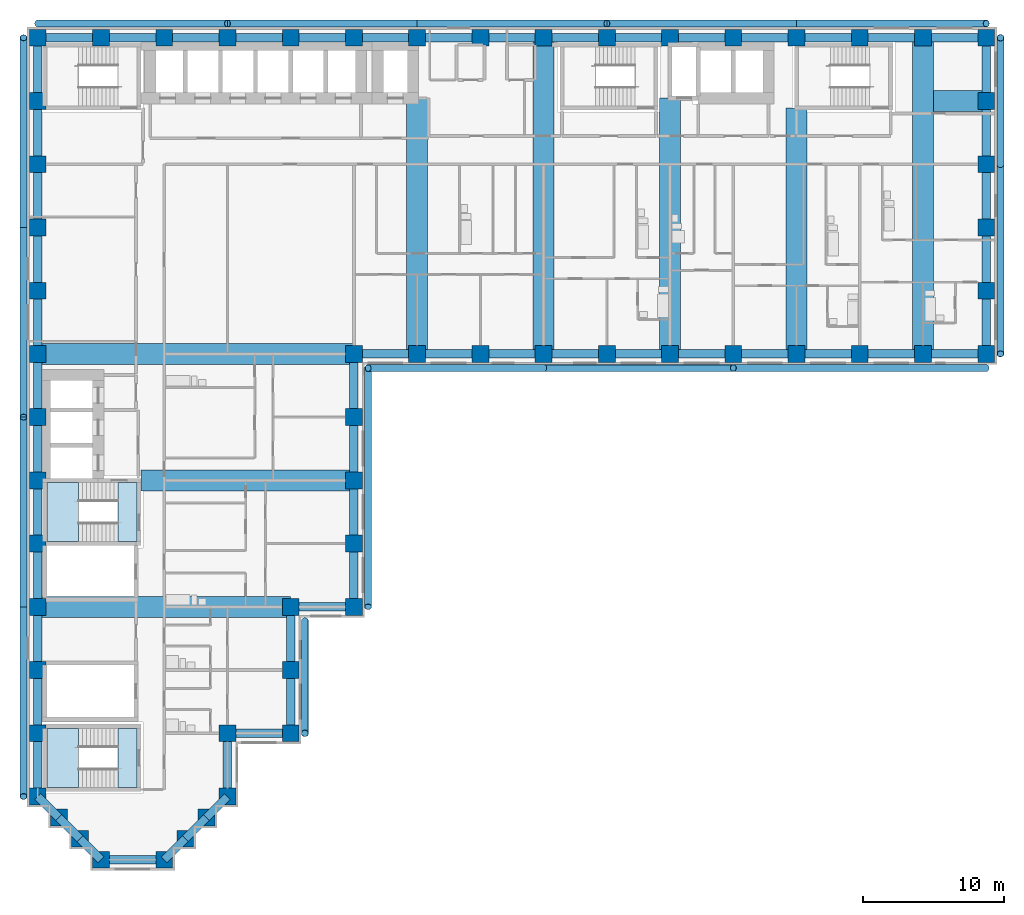
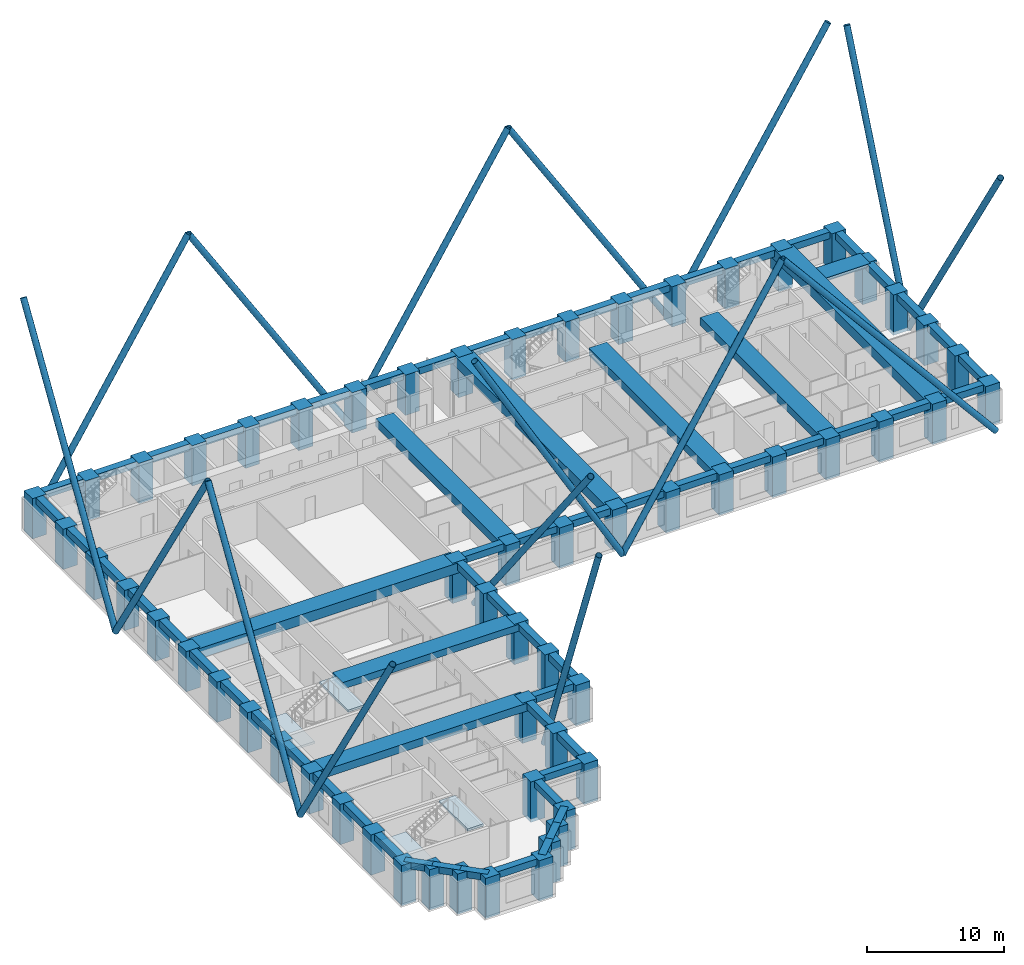
# One storey, part 1 of 13: 67 beams, 58 columns, 16 members, 4 slabs, 2 elements without a shape of their own.
"""IFC4 building model written with IfcOpenShell, lengths in metres."""

import ifcopenshell
import ifcopenshell.guid

model = None  # the IFC model being written
_history = None  # IfcOwnerHistory: only IFC2X3 demands one
_inside = {}  # id of a spatial element -> (the spatial element, [elements in it])
_under = {}  # id of a project, library or spatial element -> (it, [spatial elements below it])
_declared = {}  # id of a project -> (the project, [libraries it declares])
_typed = {}  # id of a type object -> (the type object, [elements of that type])
_made_of = {}  # id of a material, layer set ... -> (it, [elements and type objects made of it])


def new_model(schema):
    """Start an empty IFC model of exactly this schema.

    Asked for "IFC4X3", IfcOpenShell would pick the latest addendum, in which some entities
    have other attributes; the version numbers below select the first issue.
    IFC2X3 requires an IfcOwnerHistory on every rooted entity: one is made here for all.
    """
    global model, _history
    if schema == "IFC4X3":
        model = ifcopenshell.file(schema_version=(4, 3, 0, 0))
    else:
        model = ifcopenshell.file(schema=schema)
    _inside.clear()
    _under.clear()
    _declared.clear()
    _typed.clear()
    _made_of.clear()
    _history = None
    if model.schema == "IFC2X3":
        org = make("IfcOrganization", Name="unknown")
        user = make(
            "IfcPersonAndOrganization",
            ThePerson=make("IfcPerson", FamilyName="unknown"),
            TheOrganization=org,
        )
        app = make(
            "IfcApplication",
            ApplicationDeveloper=org,
            Version="unknown",
            ApplicationFullName="unknown",
            ApplicationIdentifier="unknown",
        )
        _history = make(
            "IfcOwnerHistory",
            OwningUser=user,
            OwningApplication=app,
            ChangeAction="ADDED",
            CreationDate=0,
        )
    return model


def make(cls, **values):
    """One entity of the class cls with the attributes given. An attribute that is None is left unset."""
    return model.create_entity(
        cls, **{name: value for name, value in values.items() if value is not None}
    )


def rooted(cls, **values):
    """An entity with a GlobalId (a new one), such as an element, a storey or a relation."""
    return make(cls, GlobalId=ifcopenshell.guid.new(), OwnerHistory=_history, **values)


def si_unit(unit_type, name, prefix=None):
    """IfcSIUnit, for example si_unit("LENGTHUNIT", "METRE", prefix="MILLI")."""
    return make("IfcSIUnit", UnitType=unit_type, Prefix=prefix, Name=name)


def assignment(units):
    """IfcUnitAssignment: the units of a project."""
    return None if units is None else make("IfcUnitAssignment", Units=units)


def point(xyz):
    """IfcCartesianPoint."""
    return None if xyz is None else make("IfcCartesianPoint", Coordinates=xyz)


def direction(xyz):
    """IfcDirection."""
    return None if xyz is None else make("IfcDirection", DirectionRatios=xyz)


def frame(location, z_axis=None, x_axis=None):
    """IfcAxis2Placement3D, a coordinate frame: its origin and axes. An axis left out is left unset."""
    return make(
        "IfcAxis2Placement3D",
        Location=point(location),
        Axis=direction(z_axis),
        RefDirection=direction(x_axis),
    )


def frame_2d(location, x_axis=None):
    """IfcAxis2Placement2D, a coordinate frame in the plane: its origin and x axis."""
    return make(
        "IfcAxis2Placement2D", Location=point(location), RefDirection=direction(x_axis)
    )


def origin():
    """The frame at (0, 0, 0) with its axes left unset."""
    return frame((0.0, 0.0, 0.0))


def origin_2d():
    """The frame at (0, 0) in the plane with its x axis left unset."""
    return frame_2d((0.0, 0.0))


def place(relative_to, where):
    """IfcLocalPlacement: puts the frame where relative to a parent placement (None: the world)."""
    return make(
        "IfcLocalPlacement", PlacementRelTo=relative_to, RelativePlacement=where
    )


def context(
    kind, dimensions, precision=None, world=None, true_north=None, identifier=None
):
    """IfcGeometricRepresentationContext, for example the 3D "Model" context."""
    return make(
        "IfcGeometricRepresentationContext",
        ContextIdentifier=identifier,
        ContextType=kind,
        CoordinateSpaceDimension=dimensions,
        Precision=precision,
        WorldCoordinateSystem=world,
        TrueNorth=true_north,
    )


def subcontext(parent, identifier, kind, view, scale=None):
    """IfcGeometricRepresentationSubContext, for example "Body" below "Model"."""
    return make(
        "IfcGeometricRepresentationSubContext",
        ContextIdentifier=identifier,
        ContextType=kind,
        ParentContext=parent,
        TargetScale=scale,
        TargetView=view,
    )


def project(units=None, contexts=None):
    """IfcProject with its units and contexts."""
    return rooted(
        "IfcProject",
        Name="project",
        RepresentationContexts=contexts,
        UnitsInContext=assignment(units),
    )


def spatial(cls, under=None, at=None, **own):
    """A site, building, storey or space (cls), placed at a placement, below another one or the project."""
    s = rooted(cls, ObjectPlacement=at, **own)
    if under is not None:
        _under.setdefault(under.id(), (under, []))[1].append(s)
    return s


def polyline(points):
    """IfcPolyline through the points."""
    return make("IfcPolyline", Points=[point(p) for p in points])


def profile(cls, at=None, kind="AREA", **sizes):
    """A parametric profile (cls). Its sizes go by their IFC names, for example OverallWidth=200.0."""
    return make(cls, ProfileType=kind, Position=at, **sizes)


def rectangle(**sizes):
    """IfcRectangleProfileDef."""
    return profile("IfcRectangleProfileDef", **sizes)


def hollow_circle(**sizes):
    """IfcCircleHollowProfileDef."""
    return profile("IfcCircleHollowProfileDef", **sizes)


def outline(outer, holes=None, kind="AREA"):
    """IfcArbitraryClosedProfileDef: a profile drawn as a closed curve; with holes, ...WithVoids."""
    if holes is None:
        return make("IfcArbitraryClosedProfileDef", ProfileType=kind, OuterCurve=outer)
    return make(
        "IfcArbitraryProfileDefWithVoids",
        ProfileType=kind,
        OuterCurve=outer,
        InnerCurves=holes,
    )


def extrude(swept, where, along, depth):
    """IfcExtrudedAreaSolid: the profile swept, set in the frame where, extruded along a direction by depth."""
    return make(
        "IfcExtrudedAreaSolid",
        SweptArea=swept,
        Position=where,
        ExtrudedDirection=direction(along),
        Depth=depth,
    )


def shape(context_of_items, identifier, shape_type, items):
    """IfcShapeRepresentation: the items that make up one representation, for example the "Body"."""
    return make(
        "IfcShapeRepresentation",
        ContextOfItems=context_of_items,
        RepresentationIdentifier=identifier,
        RepresentationType=shape_type,
        Items=items,
    )


def material(Name=None, Category=None):
    """IfcMaterial."""
    return make("IfcMaterial", Name=Name, Category=Category)


def layer(
    of_material, thickness, ventilated=None, Name=None, Category=None, Priority=None
):
    """IfcMaterialLayer: one layer of a wall or slab, of a material (None: an air gap)."""
    return make(
        "IfcMaterialLayer",
        Material=of_material,
        LayerThickness=thickness,
        IsVentilated=ventilated,
        Name=Name,
        Category=Category,
        Priority=Priority,
    )


def layer_set(layers, Name=None):
    """IfcMaterialLayerSet."""
    return make("IfcMaterialLayerSet", MaterialLayers=layers, LayerSetName=Name)


def material_profile(
    of_material, cross_section, Name=None, Category=None, Priority=None
):
    """IfcMaterialProfile: a cross section and its material."""
    return make(
        "IfcMaterialProfile",
        Name=Name,
        Material=of_material,
        Profile=cross_section,
        Priority=Priority,
        Category=Category,
    )


def profile_set(profiles, Name=None, composite=None):
    """IfcMaterialProfileSet."""
    return make(
        "IfcMaterialProfileSet",
        Name=Name,
        MaterialProfiles=profiles,
        CompositeProfile=composite,
    )


def made_of(thing, what):
    """Note that an element or type object is made of a material, layer set ...; save() writes the relation."""
    if what is not None:
        _made_of.setdefault(what.id(), (what, []))[1].append(thing)
    return thing


def type_object(cls, material=None, **own):
    """A type object (cls), such as IfcWallType, which elements share."""
    return made_of(rooted(cls, **own), material)


def element(
    cls,
    number,
    at=None,
    inside=None,
    cuts=None,
    type_object=None,
    material=None,
    context=None,
    identifier="Body",
    shape_type=None,
    held_by="IfcProductDefinitionShape",
    body=None,
    shapes=None,
    **own,
):
    """One element of the class cls, such as IfcWall. Its Tag is "e" and its number.

    at: its placement. inside: the storey or other place that contains it. cuts: it is an
    opening in that element (IfcRelVoidsElement). A single representation is given by context,
    identifier, shape_type and body (its items); several are given by shapes. held_by: the class
    of the entity that holds the representations. save() writes the other relations.
    """
    e = rooted(cls, Tag="e%d" % number, ObjectPlacement=at, **own)
    if body is not None:
        shapes = [shape(context, identifier, shape_type, body)]
    if shapes is not None:
        e.Representation = make(held_by, Representations=shapes)
    if inside is not None:
        _inside.setdefault(inside.id(), (inside, []))[1].append(e)
    if cuts is not None:
        rooted(
            "IfcRelVoidsElement", RelatingBuildingElement=cuts, RelatedOpeningElement=e
        )
    if type_object is not None:
        _typed.setdefault(type_object.id(), (type_object, []))[1].append(e)
    return made_of(e, material)


def aggregate(whole, parts):
    """IfcRelAggregates: a whole, such as a stair, and the parts it consists of."""
    return rooted("IfcRelAggregates", RelatingObject=whole, RelatedObjects=parts)


def save(model, path):
    """Write the relations noted so far, then the file.

    IfcRelAggregates (storeys below a building ...), IfcRelContainedInSpatialStructure (elements
    in a storey), IfcRelDefinesByType, IfcRelAssociatesMaterial and IfcRelDeclares: one each for
    every whole, place, type object, material and project.
    """
    for whole, parts in _under.values():
        aggregate(whole, parts)
    for where, things in _inside.values():
        rooted(
            "IfcRelContainedInSpatialStructure",
            RelatedElements=things,
            RelatingStructure=where,
        )
    for kind, things in _typed.values():
        rooted("IfcRelDefinesByType", RelatedObjects=things, RelatingType=kind)
    for what, things in _made_of.values():
        rooted("IfcRelAssociatesMaterial", RelatedObjects=things, RelatingMaterial=what)
    for by, libraries in _declared.values():
        rooted("IfcRelDeclares", RelatingContext=by, RelatedDefinitions=libraries)
    model.write(path)


model = new_model("IFC4")

# Units and contexts
model_context = context("Model", 3, precision=1e-05, world=origin(), true_north=direction((0.0, 1.0)))
body_context = subcontext(model_context, "Body", "Model", "MODEL_VIEW")
ifc_project = project(units=[si_unit("LENGTHUNIT", "METRE"), si_unit("AREAUNIT", "SQUARE_METRE"), si_unit("VOLUMEUNIT", "CUBIC_METRE"), si_unit("PLANEANGLEUNIT", "RADIAN"), si_unit("MASSUNIT", "GRAM", prefix="KILO")], contexts=[model_context])

# Site, building, storey
site_placement = place(None, origin())
site = spatial("IfcSite", under=ifc_project, at=site_placement, CompositionType="ELEMENT")
building_placement = place(site_placement, origin())
building = spatial("IfcBuilding", under=site, at=building_placement, Name="Firuza Court", CompositionType="ELEMENT")
storey_placement = place(building_placement, frame((0.0, 0.0, 72.199951171875)))
storey = spatial("IfcBuildingStorey", under=building, at=storey_placement, Name="L17", CompositionType="ELEMENT", Elevation=72.199951171875)

# Columns
ifc_material_1 = material(Name="Concrete C70/85", Category="concrete")
ifc_material_profile_1 = material_profile(ifc_material_1, rectangle(XDim=1.199951171875, YDim=1.199951171875, at=origin_2d()), Name="RC 1200x1200")
ifc_profile_set_1 = profile_set([ifc_material_profile_1], Name="Concrete C70/85")
column_type = type_object("IfcColumnType", Name="Tube column RC 1200x1200 C70/85", PredefinedType="COLUMN", material=ifc_profile_set_1)
for number, where, z_axis, x_axis, name in (
    (1, (4.5, 0.0, -0.300048828125), (0.0, 0.0, 1.0), (1.0, 0.0, 0.0), "Column C-2D L17"),
    (2, (9.0, 0.0, -0.300048828125), (0.0, 0.0, 1.0), (1.0, 0.0, 0.0), "Column C-3D L17"),
    (3, (3.0, 1.5, -0.300048828125), (0.0, 0.0, 1.0), (1.0, 0.0, 0.0), "Column C-SA1 L17"),
    (4, (10.5, 1.5, -0.300048828125), (0.0, 0.0, 1.0), (1.0, 0.0, 0.0), "Column C-SA2 L17"),
    (5, (1.5, 3.0, -0.300048828125), (0.0, 0.0, 1.0), (1.0, 0.0, 0.0), "Column C-SA3 L17"),
    (6, (12.0, 3.0, -0.300048828125), (0.0, 0.0, 1.0), (1.0, 0.0, 0.0), "Column C-SA4 L17"),
    (7, (0.0, 4.5, -0.300048828125), (0.0, 0.0, 1.0), (1.0, 0.0, 0.0), "Column C-1E L17"),
    (8, (13.5, 4.5, -0.300048828125), (0.0, 0.0, 1.0), (1.0, 0.0, 0.0), "Column C-4E L17"),
    (9, (0.0, 9.0, -0.300048828125), (0.0, 0.0, 1.0), (1.0, 0.0, 0.0), "Column C-1F L17"),
    (10, (13.5, 9.0, -0.300048828125), (0.0, 0.0, 1.0), (1.0, 0.0, 0.0), "Column C-4F L17"),
    (11, (18.0, 9.0, -0.300048828125), (0.0, 0.0, 1.0), (1.0, 0.0, 0.0), "Column C-5F L17"),
    (12, (0.0, 13.5, -0.300048828125), (0.0, 0.0, 1.0), (1.0, 0.0, 0.0), "Column C-1G L17"),
    (13, (18.0, 13.5, -0.300048828125), (0.0, 0.0, 1.0), (1.0, 0.0, 0.0), "Column C-5G L17"),
    (14, (0.0, 18.0, -0.300048828125), (0.0, 0.0, 1.0), (1.0, 0.0, 0.0), "Column C-1H L17"),
    (15, (18.0, 18.0, -0.300048828125), (0.0, 0.0, 1.0), (1.0, 0.0, 0.0), "Column C-5H L17"),
    (16, (22.5, 18.0, -0.300048828125), (0.0, 0.0, 1.0), (1.0, 0.0, 0.0), "Column C-6H L17"),
    (17, (0.0, 22.5, -0.300048828125), (0.0, 0.0, 1.0), (1.0, 0.0, 0.0), "Column C-1J L17"),
    (18, (22.5, 22.5, -0.300048828125), (0.0, 0.0, 1.0), (1.0, 0.0, 0.0), "Column C-6J L17"),
    (19, (0.0, 27.0, -0.300048828125), (0.0, 0.0, 1.0), (1.0, 0.0, 0.0), "Column C-1K L17"),
    (20, (22.5, 27.0, -0.300048828125), (0.0, 0.0, 1.0), (1.0, 0.0, 0.0), "Column C-6K L17"),
    (21, (0.0, 31.5, -0.300048828125), (0.0, 0.0, 1.0), (1.0, 0.0, 0.0), "Column C-1L L17"),
    (22, (22.5, 31.5, -0.300048828125), (0.0, 0.0, 1.0), (1.0, 0.0, 0.0), "Column C-6L L17"),
    (23, (0.0, 36.0, -0.300048828125), (0.0, 0.0, 1.0), (1.0, 0.0, 0.0), "Column C-1M L17"),
    (24, (22.5, 36.0, -0.300048828125), (0.0, 0.0, 1.0), (1.0, 0.0, 0.0), "Column C-6M L17"),
    (25, (27.0, 36.0, -0.300048828125), (0.0, 0.0, 1.0), (1.0, 0.0, 0.0), "Column C-7M L17"),
    (26, (31.5, 36.0, -0.300048828125), (0.0, 0.0, 1.0), (1.0, 0.0, 0.0), "Column C-8M L17"),
    (27, (36.0, 36.0, -0.300048828125), (0.0, 0.0, 1.0), (1.0, 0.0, 0.0), "Column C-9M L17"),
    (28, (40.5, 36.0, -0.300048828125), (0.0, 0.0, 1.0), (1.0, 0.0, 0.0), "Column C-10M L17"),
    (29, (45.0, 36.0, -0.300048828125), (0.0, 0.0, 1.0), (1.0, 0.0, 0.0), "Column C-11M L17"),
    (30, (49.5, 36.0, -0.300048828125), (0.0, 0.0, 1.0), (1.0, 0.0, 0.0), "Column C-12M L17"),
    (31, (54.0, 36.0, -0.300048828125), (0.0, 0.0, 1.0), (1.0, 0.0, 0.0), "Column C-13M L17"),
    (32, (58.5, 36.0, -0.300048828125), (0.0, 0.0, 1.0), (1.0, 0.0, 0.0), "Column C-14M L17"),
    (33, (63.0, 36.0, -0.300048828125), (0.0, 0.0, 1.0), (1.0, 0.0, 0.0), "Column C-15M L17"),
    (34, (67.5, 36.0, -0.300048828125), (0.0, 0.0, 1.0), (1.0, 0.0, 0.0), "Column C-16M L17"),
    (35, (0.0, 40.5, -0.300048828125), (0.0, 0.0, 1.0), (1.0, 0.0, 0.0), "Column C-1N L17"),
    (36, (67.5, 40.5, -0.300048828125), (0.0, 0.0, 1.0), (1.0, 0.0, 0.0), "Column C-16N L17"),
    (37, (0.0, 45.0, -0.300048828125), (0.0, 0.0, 1.0), (1.0, 0.0, 0.0), "Column C-1P L17"),
    (38, (67.5, 45.0, -0.300048828125), (0.0, 0.0, 1.0), (1.0, 0.0, 0.0), "Column C-16P L17"),
    (39, (0.0, 49.5, -0.300048828125), (0.0, 0.0, 1.0), (1.0, 0.0, 0.0), "Column C-1Q L17"),
    (40, (67.5, 49.5, -0.300048828125), (0.0, 0.0, 1.0), (1.0, 0.0, 0.0), "Column C-16Q L17"),
    (41, (0.0, 54.0, -0.300048828125), (0.0, 0.0, 1.0), (1.0, 0.0, 0.0), "Column C-1R L17"),
    (42, (67.5, 54.0, -0.300048828125), (0.0, 0.0, 1.0), (1.0, 0.0, 0.0), "Column C-16R L17"),
    (43, (0.0, 58.5, -0.300048828125), (0.0, 0.0, 1.0), (1.0, 0.0, 0.0), "Column C-1S L17"),
    (44, (4.5, 58.5, -0.300048828125), (0.0, 0.0, 1.0), (1.0, 0.0, 0.0), "Column C-2S L17"),
    (45, (9.0, 58.5, -0.300048828125), (0.0, 0.0, 1.0), (1.0, 0.0, 0.0), "Column C-3S L17"),
    (46, (13.5, 58.5, -0.300048828125), (0.0, 0.0, 1.0), (1.0, 0.0, 0.0), "Column C-4S L17"),
    (47, (18.0, 58.5, -0.300048828125), (0.0, 0.0, 1.0), (1.0, 0.0, 0.0), "Column C-5S L17"),
    (48, (22.5, 58.5, -0.300048828125), (0.0, 0.0, 1.0), (1.0, 0.0, 0.0), "Column C-6S L17"),
    (49, (27.0, 58.5, -0.300048828125), (0.0, 0.0, 1.0), (1.0, 0.0, 0.0), "Column C-7S L17"),
    (50, (31.5, 58.5, -0.300048828125), (0.0, 0.0, 1.0), (1.0, 0.0, 0.0), "Column C-8S L17"),
    (51, (36.0, 58.5, -0.300048828125), (0.0, 0.0, 1.0), (1.0, 0.0, 0.0), "Column C-9S L17"),
    (52, (40.5, 58.5, -0.300048828125), (0.0, 0.0, 1.0), (1.0, 0.0, 0.0), "Column C-10S L17"),
    (53, (45.0, 58.5, -0.300048828125), (0.0, 0.0, 1.0), (1.0, 0.0, 0.0), "Column C-11S L17"),
    (54, (49.5, 58.5, -0.300048828125), (0.0, 0.0, 1.0), (1.0, 0.0, 0.0), "Column C-12S L17"),
    (55, (54.0, 58.5, -0.300048828125), (0.0, 0.0, 1.0), (1.0, 0.0, 0.0), "Column C-13S L17"),
    (56, (58.5, 58.5, -0.300048828125), (0.0, 0.0, 1.0), (1.0, 0.0, 0.0), "Column C-14S L17"),
    (57, (63.0, 58.5, -0.300048828125), (0.0, 0.0, 1.0), (1.0, 0.0, 0.0), "Column C-15S L17"),
    (58, (67.5, 58.5, -0.300048828125), (0.0, 0.0, 1.0), (1.0, 0.0, 0.0), "Column C-16S L17"),
):
    element("IfcColumn", number, at=place(storey_placement, frame(where, z_axis=z_axis, x_axis=x_axis)), inside=storey, type_object=column_type, Name=name, PredefinedType="COLUMN", context=body_context, shape_type="SweptSolid", body=[
        extrude(rectangle(XDim=1.199951171875, YDim=1.199951171875, at=origin_2d()), origin(), (0.0, 0.0, 1.0), 3.60009765625),
    ])

# Beams
ifc_material_2 = material(Name="Concrete C40/50", Category="concrete")
ifc_material_profile_2 = material_profile(ifc_material_2, rectangle(XDim=1.5, YDim=0.300048828125, at=origin_2d()), Name="RC 1500x300")
ifc_profile_set_2 = profile_set([ifc_material_profile_2], Name="Concrete C40/50")
beam_type_1 = type_object("IfcBeamType", Name="Band beam RC 1500x300 C40/50", PredefinedType="BEAM", material=ifc_profile_set_2)
beam_1_placement = place(storey_placement, frame((67.5, 54.0, 3.150146484375), z_axis=(-1.0, 0.0, 0.0), x_axis=(0.0, -1.0, 0.0)))
element("IfcBeam", 59, at=beam_1_placement, inside=storey, type_object=beam_type_1, Name="Band beam FB6 level L18", PredefinedType="BEAM", context=body_context, shape_type="SweptSolid", body=[
    extrude(rectangle(XDim=1.5, YDim=0.300048828125, at=origin_2d()), origin(), (0.0, 0.0, 1.0), 3.75),
])
ifc_material_3 = material(Name="Concrete C40/50", Category="concrete")
ifc_material_profile_3 = material_profile(ifc_material_3, rectangle(XDim=1.5, YDim=0.60009765625, at=origin_2d()), Name="RC 1500x600")
ifc_profile_set_3 = profile_set([ifc_material_profile_3], Name="Concrete C40/50")
beam_type_2 = type_object("IfcBeamType", Name="Band beam RC 1500x600 C40/50", PredefinedType="BEAM", material=ifc_profile_set_3)
beam_2_placement = place(storey_placement, frame((22.5, 27.0, 3.0), z_axis=(-1.0, 0.0, 0.0), x_axis=(0.0, -1.0, 0.0)))
element("IfcBeam", 60, at=beam_2_placement, inside=storey, type_object=beam_type_2, Name="Band beam FB3 level L18", PredefinedType="BEAM", context=body_context, shape_type="SweptSolid", body=[
    extrude(rectangle(XDim=1.5, YDim=0.60009765625, at=origin_2d()), origin(), (0.0, 0.0, 1.0), 15.14990234375),
])
ifc_material_4 = material(Name="Concrete C40/50", Category="concrete")
ifc_material_profile_4 = material_profile(ifc_material_4, rectangle(XDim=1.5, YDim=0.699951171875, at=origin_2d()), Name="RC 1500x700")
ifc_profile_set_4 = profile_set([ifc_material_profile_4], Name="Concrete C40/50")
beam_type_3 = type_object("IfcBeamType", Name="Band beam RC 1500x700 C40/50", PredefinedType="BEAM", material=ifc_profile_set_4)
beam_3_placement = place(storey_placement, frame((0.0, 18.0, 2.949951171875), z_axis=(1.0, 0.0, 0.0), x_axis=(0.0, 1.0, 0.0)))
element("IfcBeam", 61, at=beam_3_placement, inside=storey, type_object=beam_type_3, Name="Band beam FB1 level L18", PredefinedType="BEAM", context=body_context, shape_type="SweptSolid", body=[
    extrude(rectangle(XDim=1.5, YDim=0.699951171875, at=origin_2d()), origin(), (0.0, 0.0, 1.0), 18.0),
])
for number, where, z_axis, x_axis, name in (
    (62, (27.0, 36.0, 2.949951171875), (0.0, 1.0, 0.0), (-1.0, 0.0, 0.0), "Band beam FB1 level L18"),
    (63, (45.0, 36.0, 2.949951171875), (0.0, 1.0, 0.0), (-1.0, 0.0, 0.0), "Band beam FB1 level L18"),
):
    element("IfcBeam", number, at=place(storey_placement, frame(where, z_axis=z_axis, x_axis=x_axis)), inside=storey, type_object=beam_type_3, Name=name, PredefinedType="BEAM", context=body_context, shape_type="SweptSolid", body=[
        extrude(rectangle(XDim=1.5, YDim=0.699951171875, at=origin_2d()), origin(), (0.0, 0.0, 1.0), 18.199951171875),
    ])
beam_4_placement = place(storey_placement, frame((54.0, 36.0, 2.949951171875), z_axis=(0.0, 1.0, 0.0), x_axis=(-1.0, 0.0, 0.0)))
element("IfcBeam", 64, at=beam_4_placement, inside=storey, type_object=beam_type_3, Name="Band beam FB1 level L18", PredefinedType="BEAM", context=body_context, shape_type="SweptSolid", body=[
    extrude(rectangle(XDim=1.5, YDim=0.699951171875, at=origin_2d()), origin(), (0.0, 0.0, 1.0), 17.5),
])
ifc_material_5 = material(Name="Concrete C40/50", Category="concrete")
ifc_material_profile_5 = material_profile(ifc_material_5, rectangle(XDim=1.5, YDim=0.89990234375, at=origin_2d()), Name="RC 1500x900")
ifc_profile_set_5 = profile_set([ifc_material_profile_5], Name="Concrete C40/50")
beam_type_4 = type_object("IfcBeamType", Name="Band beam RC 1500x900 C40/50", PredefinedType="BEAM", material=ifc_profile_set_5)
for number, where, z_axis, x_axis, name in (
    (65, (0.0, 36.0, 2.85009765625), (1.0, 0.0, 0.0), (0.0, 1.0, 0.0), "Band beam FB2 level L18"),
    (66, (36.0, 36.0, 2.85009765625), (0.0, 1.0, 0.0), (-1.0, 0.0, 0.0), "Band beam FB2 level L18"),
    (67, (63.0, 36.0, 2.85009765625), (0.0, 1.0, 0.0), (-1.0, 0.0, 0.0), "Band beam FB2 level L18"),
):
    element("IfcBeam", number, at=place(storey_placement, frame(where, z_axis=z_axis, x_axis=x_axis)), inside=storey, type_object=beam_type_4, Name=name, PredefinedType="BEAM", context=body_context, shape_type="SweptSolid", body=[
        extrude(rectangle(XDim=1.5, YDim=0.89990234375, at=origin_2d()), origin(), (0.0, 0.0, 1.0), 22.5),
    ])

# Members
ifc_material_6 = material(Name="Steel S355", Category="steel")
ifc_material_profile_6 = material_profile(ifc_material_6, hollow_circle(Radius=0.25390625, WallThickness=0.02001953125, at=origin_2d()), Name="CHS 508x20")
ifc_profile_set_6 = profile_set([ifc_material_profile_6], Name="Steel S355")
member_type = type_object("IfcMemberType", Name="Diagrid diagonal CHS 508x20 S355", PredefinedType="USERDEFINED", material=ifc_profile_set_6)
member_1_placement = place(storey_placement, frame((19.009033203125, 16.990966796875, -0.550048828125), z_axis=(0.0, -0.34696804181, 0.937876952464), x_axis=(1.0, 0.0, 0.0)))
element("IfcMember", 68, at=member_1_placement, inside=storey, type_object=member_type, Name="Diagrid diagonal L17 to L23", ObjectType="DIAGRID", PredefinedType="USERDEFINED", context=body_context, shape_type="SweptSolid", body=[
    extrude(hollow_circle(Radius=0.25390625, WallThickness=0.02001953125, at=origin_2d()), origin(), (0.0, 0.0, 1.0), 23.03076171875),
])
member_2_placement = place(storey_placement, frame((23.509033203125, 34.990966796875, -0.550048828125), z_axis=(0.0, -0.618259306388, 0.785974191729), x_axis=(1.0, 0.0, 0.0)))
element("IfcMember", 69, at=member_2_placement, inside=storey, type_object=member_type, Name="Diagrid diagonal L17 to L23", ObjectType="DIAGRID", PredefinedType="USERDEFINED", context=body_context, shape_type="SweptSolid", body=[
    extrude(hollow_circle(Radius=0.25390625, WallThickness=0.02001953125, at=origin_2d()), origin(), (0.0, 0.0, 1.0), 27.48193359375),
])
member_3_placement = place(storey_placement, frame((36.0, 34.990966796875, -0.550048828125), z_axis=(-0.500605385091, 0.0, 0.865675602301), x_axis=(0.0, -1.0, 0.0)))
element("IfcMember", 70, at=member_3_placement, inside=storey, type_object=member_type, Name="Diagrid diagonal L17 to L23", ObjectType="DIAGRID", PredefinedType="USERDEFINED", context=body_context, shape_type="SweptSolid", body=[
    extrude(hollow_circle(Radius=0.25390625, WallThickness=0.02001953125, at=origin_2d()), origin(), (0.0, 0.0, 1.0), 24.95166015625),
])
member_4_placement = place(storey_placement, frame((36.0, 34.990966796875, -0.550048828125), z_axis=(0.529997216905, 0.0, 0.847999380939), x_axis=(0.0, 1.0, 0.0)))
element("IfcMember", 71, at=member_4_placement, inside=storey, type_object=member_type, Name="Diagrid diagonal L17 to L23", ObjectType="DIAGRID", PredefinedType="USERDEFINED", context=body_context, shape_type="SweptSolid", body=[
    extrude(hollow_circle(Radius=0.25390625, WallThickness=0.02001953125, at=origin_2d()), origin(), (0.0, 0.0, 1.0), 25.471923828125),
])
member_5_placement = place(storey_placement, frame((67.5, 34.990966796875, -0.550048828125), z_axis=(-0.640182691525, 0.0, 0.768222703044), x_axis=(0.0, -1.0, 0.0)))
element("IfcMember", 72, at=member_5_placement, inside=storey, type_object=member_type, Name="Diagrid diagonal L17 to L23", ObjectType="DIAGRID", PredefinedType="USERDEFINED", context=body_context, shape_type="SweptSolid", body=[
    extrude(hollow_circle(Radius=0.25390625, WallThickness=0.02001953125, at=origin_2d()), origin(), (0.0, 0.0, 1.0), 28.116943359375),
])
member_6_placement = place(storey_placement, frame((68.509033203125, 49.5, -0.550048828125), z_axis=(0.0, -0.529997216905, 0.847999380939), x_axis=(1.0, 0.0, 0.0)))
element("IfcMember", 73, at=member_6_placement, inside=storey, type_object=member_type, Name="Diagrid diagonal L17 to L23", ObjectType="DIAGRID", PredefinedType="USERDEFINED", context=body_context, shape_type="SweptSolid", body=[
    extrude(hollow_circle(Radius=0.25390625, WallThickness=0.02001953125, at=origin_2d()), origin(), (0.0, 0.0, 1.0), 25.471923828125),
])
member_7_placement = place(storey_placement, frame((68.509033203125, 49.5, -0.550048828125), z_axis=(0.0, 0.38461390296, 0.923077540432), x_axis=(-1.0, 0.0, 0.0)))
element("IfcMember", 74, at=member_7_placement, inside=storey, type_object=member_type, Name="Diagrid diagonal L17 to L23", ObjectType="DIAGRID", PredefinedType="USERDEFINED", context=body_context, shape_type="SweptSolid", body=[
    extrude(hollow_circle(Radius=0.25390625, WallThickness=0.02001953125, at=origin_2d()), origin(), (0.0, 0.0, 1.0), 23.400146484375),
])
for number, where, z_axis, x_axis, name in (
    (75, (54.0, 59.509033203125, -0.550048828125), (0.529997216905, 0.0, 0.847999380939), (0.0, 1.0, 0.0), "Diagrid diagonal L17 to L23"),
    (76, (54.0, 59.509033203125, -0.550048828125), (-0.529997216905, 0.0, 0.847999380939), (0.0, -1.0, 0.0), "Diagrid diagonal L17 to L23"),
    (77, (27.0, 59.509033203125, -0.550048828125), (0.529997216905, 0.0, 0.847999380939), (0.0, 1.0, 0.0), "Diagrid diagonal L17 to L23"),
    (78, (27.0, 59.509033203125, -0.550048828125), (-0.529997216905, 0.0, 0.847999380939), (0.0, -1.0, 0.0), "Diagrid diagonal L17 to L23"),
    (79, (0.0, 59.509033203125, -0.550048828125), (0.529997216905, 0.0, 0.847999380939), (0.0, 1.0, 0.0), "Diagrid diagonal L17 to L23"),
    (80, (-1.009033203125, 45.0, -0.550048828125), (0.0, 0.529997216905, 0.847999380939), (-1.0, 0.0, 0.0), "Diagrid diagonal L17 to L23"),
    (81, (-1.009033203125, 45.0, -0.550048828125), (0.0, -0.529997216905, 0.847999380939), (1.0, 0.0, 0.0), "Diagrid diagonal L17 to L23"),
    (82, (-1.009033203125, 18.0, -0.550048828125), (0.0, 0.529997216905, 0.847999380939), (-1.0, 0.0, 0.0), "Diagrid diagonal L17 to L23"),
    (83, (-1.009033203125, 18.0, -0.550048828125), (0.0, -0.529997216905, 0.847999380939), (1.0, 0.0, 0.0), "Diagrid diagonal L17 to L23"),
):
    element("IfcMember", number, at=place(storey_placement, frame(where, z_axis=z_axis, x_axis=x_axis)), inside=storey, type_object=member_type, Name=name, ObjectType="DIAGRID", PredefinedType="USERDEFINED", context=body_context, shape_type="SweptSolid", body=[
        extrude(hollow_circle(Radius=0.25390625, WallThickness=0.02001953125, at=origin_2d()), origin(), (0.0, 0.0, 1.0), 25.471923828125),
    ])

# Beams
ifc_material_7 = material(Name="Concrete C40/50", Category="concrete")
ifc_material_profile_7 = material_profile(ifc_material_7, rectangle(XDim=0.60009765625, YDim=0.60009765625, at=origin_2d()), Name="RC 600x600")
ifc_profile_set_7 = profile_set([ifc_material_profile_7], Name="Concrete C40/50")
beam_type_5 = type_object("IfcBeamType", Name="Spandrel beam RC 600x600 C40/50", PredefinedType="BEAM", material=ifc_profile_set_7)
beam_5_placement = place(storey_placement, frame((0.0, 4.5, 3.0), z_axis=(0.707106781187, -0.707106781187, 0.0), x_axis=(0.707106781187, 0.707106781187, 0.0)))
element("IfcBeam", 84, at=beam_5_placement, inside=storey, type_object=beam_type_5, Name="Spandrel beam SP11 level L18", PredefinedType="BEAM", context=body_context, shape_type="SweptSolid", body=[
    extrude(rectangle(XDim=0.60009765625, YDim=0.60009765625, at=origin_2d()), origin(), (0.0, 0.0, 1.0), 2.121337890625),
])
for number, where, z_axis, x_axis, name in (
    (85, (0.0, 9.0, 3.0), (0.0, -1.0, 0.0), (1.0, 0.0, 0.0), "Spandrel beam SP11 level L18"),
    (86, (0.0, 13.5, 3.0), (0.0, -1.0, 0.0), (1.0, 0.0, 0.0), "Spandrel beam SP11 level L18"),
    (87, (0.0, 18.0, 3.0), (0.0, -1.0, 0.0), (1.0, 0.0, 0.0), "Spandrel beam SP11 level L18"),
    (88, (0.0, 22.5, 3.0), (0.0, -1.0, 0.0), (1.0, 0.0, 0.0), "Spandrel beam SP11 level L18"),
    (89, (0.0, 27.0, 3.0), (0.0, -1.0, 0.0), (1.0, 0.0, 0.0), "Spandrel beam SP11 level L18"),
    (90, (0.0, 31.5, 3.0), (0.0, -1.0, 0.0), (1.0, 0.0, 0.0), "Spandrel beam SP11 level L18"),
    (91, (0.0, 36.0, 3.0), (0.0, -1.0, 0.0), (1.0, 0.0, 0.0), "Spandrel beam SP11 level L18"),
    (92, (0.0, 40.5, 3.0), (0.0, -1.0, 0.0), (1.0, 0.0, 0.0), "Spandrel beam SP11 level L18"),
    (93, (0.0, 45.0, 3.0), (0.0, -1.0, 0.0), (1.0, 0.0, 0.0), "Spandrel beam SP11 level L18"),
    (94, (0.0, 49.5, 3.0), (0.0, -1.0, 0.0), (1.0, 0.0, 0.0), "Spandrel beam SP11 level L18"),
    (95, (0.0, 54.0, 3.0), (0.0, -1.0, 0.0), (1.0, 0.0, 0.0), "Spandrel beam SP11 level L18"),
    (96, (0.0, 58.5, 3.0), (0.0, -1.0, 0.0), (1.0, 0.0, 0.0), "Spandrel beam SP11 level L18"),
):
    element("IfcBeam", number, at=place(storey_placement, frame(where, z_axis=z_axis, x_axis=x_axis)), inside=storey, type_object=beam_type_5, Name=name, PredefinedType="BEAM", context=body_context, shape_type="SweptSolid", body=[
        extrude(rectangle(XDim=0.60009765625, YDim=0.60009765625, at=origin_2d()), origin(), (0.0, 0.0, 1.0), 4.5),
    ])
for number, where, z_axis, x_axis, name in (
    (97, (1.5, 3.0, 3.0), (0.707106781187, -0.707106781187, 0.0), (0.707106781187, 0.707106781187, 0.0), "Spandrel beam SP11 level L18"),
    (98, (3.0, 1.5, 3.0), (0.707106781187, -0.707106781187, 0.0), (0.707106781187, 0.707106781187, 0.0), "Spandrel beam SP11 level L18"),
):
    element("IfcBeam", number, at=place(storey_placement, frame(where, z_axis=z_axis, x_axis=x_axis)), inside=storey, type_object=beam_type_5, Name=name, PredefinedType="BEAM", context=body_context, shape_type="SweptSolid", body=[
        extrude(rectangle(XDim=0.60009765625, YDim=0.60009765625, at=origin_2d()), origin(), (0.0, 0.0, 1.0), 2.121337890625),
    ])
for number, where, z_axis, x_axis, name in (
    (99, (4.5, 0.0, 3.0), (1.0, 0.0, 0.0), (0.0, 1.0, 0.0), "Spandrel beam SP11 level L18"),
    (100, (4.5, 58.5, 3.0), (-1.0, 0.0, 0.0), (0.0, -1.0, 0.0), "Spandrel beam SP11 level L18"),
):
    element("IfcBeam", number, at=place(storey_placement, frame(where, z_axis=z_axis, x_axis=x_axis)), inside=storey, type_object=beam_type_5, Name=name, PredefinedType="BEAM", context=body_context, shape_type="SweptSolid", body=[
        extrude(rectangle(XDim=0.60009765625, YDim=0.60009765625, at=origin_2d()), origin(), (0.0, 0.0, 1.0), 4.5),
    ])
beam_6_placement = place(storey_placement, frame((9.0, 0.0, 3.0), z_axis=(0.707106781187, 0.707106781187, 0.0), x_axis=(-0.707106781187, 0.707106781187, 0.0)))
element("IfcBeam", 101, at=beam_6_placement, inside=storey, type_object=beam_type_5, Name="Spandrel beam SP11 level L18", PredefinedType="BEAM", context=body_context, shape_type="SweptSolid", body=[
    extrude(rectangle(XDim=0.60009765625, YDim=0.60009765625, at=origin_2d()), origin(), (0.0, 0.0, 1.0), 2.121337890625),
])
beam_7_placement = place(storey_placement, frame((9.0, 58.5, 3.0), z_axis=(-1.0, 0.0, 0.0), x_axis=(0.0, -1.0, 0.0)))
element("IfcBeam", 102, at=beam_7_placement, inside=storey, type_object=beam_type_5, Name="Spandrel beam SP11 level L18", PredefinedType="BEAM", context=body_context, shape_type="SweptSolid", body=[
    extrude(rectangle(XDim=0.60009765625, YDim=0.60009765625, at=origin_2d()), origin(), (0.0, 0.0, 1.0), 4.5),
])
for number, where, z_axis, x_axis, name in (
    (103, (10.5, 1.5, 3.0), (0.707106781187, 0.707106781187, 0.0), (-0.707106781187, 0.707106781187, 0.0), "Spandrel beam SP11 level L18"),
    (104, (12.0, 3.0, 3.0), (0.707106781187, 0.707106781187, 0.0), (-0.707106781187, 0.707106781187, 0.0), "Spandrel beam SP11 level L18"),
):
    element("IfcBeam", number, at=place(storey_placement, frame(where, z_axis=z_axis, x_axis=x_axis)), inside=storey, type_object=beam_type_5, Name=name, PredefinedType="BEAM", context=body_context, shape_type="SweptSolid", body=[
        extrude(rectangle(XDim=0.60009765625, YDim=0.60009765625, at=origin_2d()), origin(), (0.0, 0.0, 1.0), 2.121337890625),
    ])
for number, where, z_axis, x_axis, name in (
    (105, (13.5, 4.5, 3.0), (0.0, 1.0, 0.0), (-1.0, 0.0, 0.0), "Spandrel beam SP11 level L18"),
    (106, (13.5, 9.0, 3.0), (1.0, 0.0, 0.0), (0.0, 1.0, 0.0), "Spandrel beam SP11 level L18"),
    (107, (13.5, 58.5, 3.0), (-1.0, 0.0, 0.0), (0.0, -1.0, 0.0), "Spandrel beam SP11 level L18"),
    (108, (18.0, 9.0, 3.0), (0.0, 1.0, 0.0), (-1.0, 0.0, 0.0), "Spandrel beam SP11 level L18"),
    (109, (18.0, 13.5, 3.0), (0.0, 1.0, 0.0), (-1.0, 0.0, 0.0), "Spandrel beam SP11 level L18"),
    (110, (18.0, 18.0, 3.0), (1.0, 0.0, 0.0), (0.0, 1.0, 0.0), "Spandrel beam SP11 level L18"),
    (111, (18.0, 58.5, 3.0), (-1.0, 0.0, 0.0), (0.0, -1.0, 0.0), "Spandrel beam SP11 level L18"),
    (112, (22.5, 18.0, 3.0), (0.0, 1.0, 0.0), (-1.0, 0.0, 0.0), "Spandrel beam SP11 level L18"),
    (113, (22.5, 22.5, 3.0), (0.0, 1.0, 0.0), (-1.0, 0.0, 0.0), "Spandrel beam SP11 level L18"),
    (114, (22.5, 27.0, 3.0), (0.0, 1.0, 0.0), (-1.0, 0.0, 0.0), "Spandrel beam SP11 level L18"),
    (115, (22.5, 31.5, 3.0), (0.0, 1.0, 0.0), (-1.0, 0.0, 0.0), "Spandrel beam SP11 level L18"),
    (116, (22.5, 36.0, 3.0), (1.0, 0.0, 0.0), (0.0, 1.0, 0.0), "Spandrel beam SP11 level L18"),
    (117, (22.5, 58.5, 3.0), (-1.0, 0.0, 0.0), (0.0, -1.0, 0.0), "Spandrel beam SP11 level L18"),
    (118, (27.0, 36.0, 3.0), (1.0, 0.0, 0.0), (0.0, 1.0, 0.0), "Spandrel beam SP11 level L18"),
    (119, (27.0, 58.5, 3.0), (-1.0, 0.0, 0.0), (0.0, -1.0, 0.0), "Spandrel beam SP11 level L18"),
    (120, (31.5, 36.0, 3.0), (1.0, 0.0, 0.0), (0.0, 1.0, 0.0), "Spandrel beam SP11 level L18"),
    (121, (31.5, 58.5, 3.0), (-1.0, 0.0, 0.0), (0.0, -1.0, 0.0), "Spandrel beam SP11 level L18"),
    (122, (36.0, 36.0, 3.0), (1.0, 0.0, 0.0), (0.0, 1.0, 0.0), "Spandrel beam SP11 level L18"),
    (123, (36.0, 58.5, 3.0), (-1.0, 0.0, 0.0), (0.0, -1.0, 0.0), "Spandrel beam SP11 level L18"),
    (124, (40.5, 36.0, 3.0), (1.0, 0.0, 0.0), (0.0, 1.0, 0.0), "Spandrel beam SP11 level L18"),
    (125, (40.5, 58.5, 3.0), (-1.0, 0.0, 0.0), (0.0, -1.0, 0.0), "Spandrel beam SP11 level L18"),
    (126, (45.0, 36.0, 3.0), (1.0, 0.0, 0.0), (0.0, 1.0, 0.0), "Spandrel beam SP11 level L18"),
    (127, (45.0, 58.5, 3.0), (-1.0, 0.0, 0.0), (0.0, -1.0, 0.0), "Spandrel beam SP11 level L18"),
    (128, (49.5, 36.0, 3.0), (1.0, 0.0, 0.0), (0.0, 1.0, 0.0), "Spandrel beam SP11 level L18"),
    (129, (49.5, 58.5, 3.0), (-1.0, 0.0, 0.0), (0.0, -1.0, 0.0), "Spandrel beam SP11 level L18"),
    (130, (54.0, 36.0, 3.0), (1.0, 0.0, 0.0), (0.0, 1.0, 0.0), "Spandrel beam SP11 level L18"),
    (131, (54.0, 58.5, 3.0), (-1.0, 0.0, 0.0), (0.0, -1.0, 0.0), "Spandrel beam SP11 level L18"),
    (132, (58.5, 36.0, 3.0), (1.0, 0.0, 0.0), (0.0, 1.0, 0.0), "Spandrel beam SP11 level L18"),
    (133, (58.5, 58.5, 3.0), (-1.0, 0.0, 0.0), (0.0, -1.0, 0.0), "Spandrel beam SP11 level L18"),
    (134, (63.0, 36.0, 3.0), (1.0, 0.0, 0.0), (0.0, 1.0, 0.0), "Spandrel beam SP11 level L18"),
    (135, (63.0, 58.5, 3.0), (-1.0, 0.0, 0.0), (0.0, -1.0, 0.0), "Spandrel beam SP11 level L18"),
    (136, (67.5, 36.0, 3.0), (0.0, 1.0, 0.0), (-1.0, 0.0, 0.0), "Spandrel beam SP11 level L18"),
    (137, (67.5, 40.5, 3.0), (0.0, 1.0, 0.0), (-1.0, 0.0, 0.0), "Spandrel beam SP11 level L18"),
    (138, (67.5, 45.0, 3.0), (0.0, 1.0, 0.0), (-1.0, 0.0, 0.0), "Spandrel beam SP11 level L18"),
    (139, (67.5, 49.5, 3.0), (0.0, 1.0, 0.0), (-1.0, 0.0, 0.0), "Spandrel beam SP11 level L18"),
    (140, (67.5, 54.0, 3.0), (0.0, 1.0, 0.0), (-1.0, 0.0, 0.0), "Spandrel beam SP11 level L18"),
    (141, (67.5, 58.5, 3.0), (-1.0, 0.0, 0.0), (0.0, -1.0, 0.0), "Spandrel beam SP11 level L18"),
):
    element("IfcBeam", number, at=place(storey_placement, frame(where, z_axis=z_axis, x_axis=x_axis)), inside=storey, type_object=beam_type_5, Name=name, PredefinedType="BEAM", context=body_context, shape_type="SweptSolid", body=[
        extrude(rectangle(XDim=0.60009765625, YDim=0.60009765625, at=origin_2d()), origin(), (0.0, 0.0, 1.0), 4.5),
    ])

# Stair, slabs
ifc_material_8 = material(Name="Concrete C40/50 precast", Category="concrete")
stair_type = type_object("IfcStairType", Name="Stair 1350 x 3600 2 flights", PredefinedType="HALF_TURN_STAIR", material=ifc_material_8)
stair_1_placement = place(storey_placement, origin())
stair_1 = element("IfcStair", 142, at=stair_1_placement, inside=storey, type_object=stair_type, Name="Stair 2 L17", PredefinedType="HALF_TURN_STAIR")
ifc_material_9 = material(Name="Concrete C40/50 precast", Category="concrete")
ifc_layer = layer(ifc_material_9, 0.199951171875)
ifc_layer_set = layer_set([ifc_layer], Name="Concrete C40/50 precast")
slab_type = type_object("IfcSlabType", Name="Stair landing 200", PredefinedType="LANDING", material=ifc_layer_set)
slab_1_placement = place(storey_placement, frame((0.0, 0.0, 1.60009765625)))
slab_1 = element("IfcSlab", 143, at=slab_1_placement, type_object=slab_type, Name="S2 landing 1", PredefinedType="LANDING", context=body_context, shape_type="SweptSolid", body=[
    extrude(outline(polyline([(2.89990234375, 22.64990234375), (2.89990234375, 26.85009765625), (0.64990234375, 26.85009765625), (0.64990234375, 22.64990234375), (2.89990234375, 22.64990234375)])), origin(), (0.0, 0.0, 1.0), 0.199951171875),
])
slab_2_placement = place(storey_placement, frame((0.0, 0.0, 3.400146484375)))
slab_2 = element("IfcSlab", 144, at=slab_2_placement, type_object=slab_type, Name="S2 landing 2", PredefinedType="LANDING", context=body_context, shape_type="SweptSolid", body=[
    extrude(outline(polyline([(7.050048828125, 22.64990234375), (7.050048828125, 26.85009765625), (5.699951171875, 26.85009765625), (5.699951171875, 22.64990234375), (7.050048828125, 22.64990234375)])), origin(), (0.0, 0.0, 1.0), 0.199951171875),
])
aggregate(stair_1, [slab_1, slab_2])

stair_2_placement = place(storey_placement, origin())
stair_2 = element("IfcStair", 145, at=stair_2_placement, inside=storey, type_object=stair_type, Name="Stair 5 L17", PredefinedType="HALF_TURN_STAIR")
slab_3_placement = place(storey_placement, frame((0.0, 0.0, 1.60009765625)))
slab_3 = element("IfcSlab", 146, at=slab_3_placement, type_object=slab_type, Name="S5 landing 1", PredefinedType="LANDING", context=body_context, shape_type="SweptSolid", body=[
    extrude(outline(polyline([(2.89990234375, 5.14990234375), (2.89990234375, 9.35009765625), (0.64990234375, 9.35009765625), (0.64990234375, 5.14990234375), (2.89990234375, 5.14990234375)])), origin(), (0.0, 0.0, 1.0), 0.199951171875),
])
slab_4_placement = place(storey_placement, frame((0.0, 0.0, 3.400146484375)))
slab_4 = element("IfcSlab", 147, at=slab_4_placement, type_object=slab_type, Name="S5 landing 2", PredefinedType="LANDING", context=body_context, shape_type="SweptSolid", body=[
    extrude(outline(polyline([(7.050048828125, 5.14990234375), (7.050048828125, 9.35009765625), (5.699951171875, 9.35009765625), (5.699951171875, 5.14990234375), (7.050048828125, 5.14990234375)])), origin(), (0.0, 0.0, 1.0), 0.199951171875),
])
aggregate(stair_2, [slab_3, slab_4])

save(model, "model.ifc")
